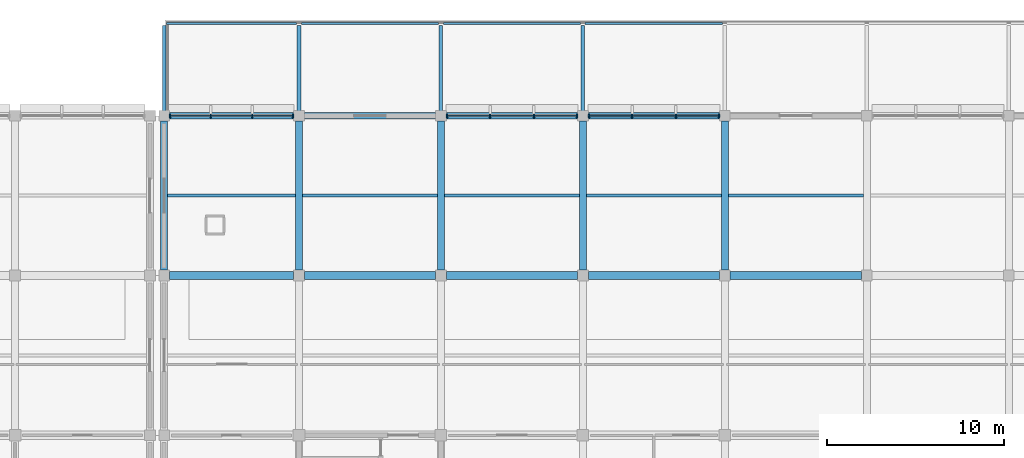
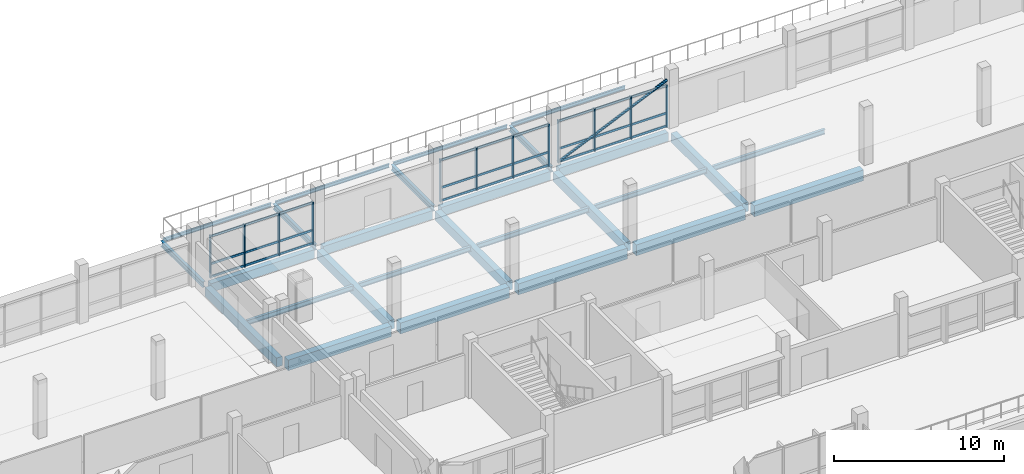
# One storey, part 28 of 70: 40 members, 27 beams, 3 elements without a shape of their own.
"""IFC4 building model written with IfcOpenShell, lengths in metres."""

from ifc_helpers import new_model, si_unit, direction, frame, origin, origin_2d, place, context, subcontext, project, spatial, rectangle, hollow_circle, i_section, extrude, material, material_profile, profile_set, type_object, element, aggregate, save


model = new_model("IFC4")

# Units and contexts
model_context = context("Model", 3, precision=1e-05, world=origin(), true_north=direction((0.0, 1.0)))
body_context = subcontext(model_context, "Body", "Model", "MODEL_VIEW")
ifc_project = project(units=[si_unit("LENGTHUNIT", "METRE"), si_unit("AREAUNIT", "SQUARE_METRE"), si_unit("VOLUMEUNIT", "CUBIC_METRE"), si_unit("PLANEANGLEUNIT", "RADIAN"), si_unit("MASSUNIT", "GRAM", prefix="KILO"), si_unit("THERMODYNAMICTEMPERATUREUNIT", "KELVIN"), si_unit("POWERUNIT", "WATT")], contexts=[model_context])

# Site, building, storey
site_placement = place(None, origin())
site = spatial("IfcSite", under=ifc_project, at=site_placement, CompositionType="ELEMENT")
building_placement = place(site_placement, origin())
building = spatial("IfcBuilding", under=site, at=building_placement, Name="Kronsvod Quay Wholesale Market", CompositionType="ELEMENT")
storey_placement = place(building_placement, frame((0.0, 0.0, 9.0)))
storey = spatial("IfcBuildingStorey", under=building, at=storey_placement, Name="L02", CompositionType="ELEMENT", Elevation=9.0)

# Beams
ifc_material_1 = material(Name="Precast concrete C40/50", Category="concrete")
ifc_material_profile_1 = material_profile(ifc_material_1, rectangle(XDim=0.39990234375, YDim=0.64990234375, at=origin_2d()), Name="PCB400x650")
ifc_profile_set_1 = profile_set([ifc_material_profile_1], Name="Precast concrete C40/50")
beam_type_1 = type_object("IfcBeamType", Name="Beam_PCB400x650", PredefinedType="BEAM", material=ifc_profile_set_1)
for number, where, z_axis, x_axis, name in (
    (1, (64.39990234375, 117.300048828125, -0.635009765625), (0.0, 1.0, 0.0), (-1.0, 0.0, 0.0), "BMY-L02-644-1170"),
    (2, (72.0, 117.300048828125, -0.635009765625), (0.0, 1.0, 0.0), (-1.0, 0.0, 0.0), "BMY-L02-720-1170"),
    (3, (80.0, 117.300048828125, -0.635009765625), (0.0, 1.0, 0.0), (-1.0, 0.0, 0.0), "BMY-L02-800-1170"),
    (4, (88.0, 117.300048828125, -0.635009765625), (0.0, 1.0, 0.0), (-1.0, 0.0, 0.0), "BMY-L02-880-1170"),
    (5, (96.0, 117.300048828125, -0.635009765625), (0.0, 1.0, 0.0), (-1.0, 0.0, 0.0), "BMY-L02-960-1170"),
):
    element("IfcBeam", number, at=place(storey_placement, frame(where, z_axis=z_axis, x_axis=x_axis)), inside=storey, type_object=beam_type_1, Name=name, PredefinedType="BEAM", context=body_context, shape_type="SweptSolid", body=[
        extrude(rectangle(XDim=0.39990234375, YDim=0.64990234375, at=origin_2d()), origin(), (0.0, 0.0, 1.0), 8.39990234375),
    ])
ifc_material_2 = material(Name="Precast concrete C40/50", Category="concrete")
ifc_material_profile_2 = material_profile(ifc_material_2, rectangle(XDim=0.449951171875, YDim=0.75, at=origin_2d()), Name="PCB450x750")
ifc_profile_set_2 = profile_set([ifc_material_profile_2], Name="Precast concrete C40/50")
beam_type_2 = type_object("IfcBeamType", Name="Beam_PCB450x750", PredefinedType="BEAM", material=ifc_profile_set_2)
beam_1_placement = place(storey_placement, frame((64.699951171875, 117.0, -0.68505859375), z_axis=(1.0, 0.0, 0.0), x_axis=(0.0, 1.0, 0.0)))
element("IfcBeam", 6, at=beam_1_placement, inside=storey, type_object=beam_type_2, Name="BMX-L02-644-1170", PredefinedType="BEAM", context=body_context, shape_type="SweptSolid", body=[
    extrude(rectangle(XDim=0.449951171875, YDim=0.75, at=origin_2d()), origin(), (0.0, 0.0, 1.0), 7.0),
])
ifc_material_3 = material(Name="Precast concrete C40/50", Category="concrete")
ifc_material_profile_3 = material_profile(ifc_material_3, rectangle(XDim=0.4599609375, YDim=0.780029296875, at=origin_2d()), Name="PB-03")
ifc_profile_set_3 = profile_set([ifc_material_profile_3], Name="Precast concrete C40/50")
beam_type_3 = type_object("IfcBeamType", Name="Beam_PCB460x780", PredefinedType="BEAM", material=ifc_profile_set_3)
for number, where, z_axis, x_axis, name in (
    (7, (72.300048828125, 117.0, -0.699951171875), (1.0, 0.0, 0.0), (0.0, 1.0, 0.0), "BMX-L02-720-1170"),
    (8, (80.300048828125, 117.0, -0.699951171875), (1.0, 0.0, 0.0), (0.0, 1.0, 0.0), "BMX-L02-800-1170"),
    (9, (88.300048828125, 117.0, -0.699951171875), (1.0, 0.0, 0.0), (0.0, 1.0, 0.0), "BMX-L02-880-1170"),
    (10, (96.300048828125, 117.0, -0.699951171875), (1.0, 0.0, 0.0), (0.0, 1.0, 0.0), "BMX-L02-960-1170"),
):
    element("IfcBeam", number, at=place(storey_placement, frame(where, z_axis=z_axis, x_axis=x_axis)), inside=storey, type_object=beam_type_3, Name=name, PredefinedType="BEAM", context=body_context, shape_type="SweptSolid", body=[
        extrude(rectangle(XDim=0.4599609375, YDim=0.780029296875, at=origin_2d()), origin(), (0.0, 0.0, 1.0), 7.39990234375),
    ])
ifc_material_4 = material(Name="Steel S355", Category="steel")
ifc_material_profile_4 = material_profile(ifc_material_4, i_section(OverallWidth=0.1240234375, OverallDepth=0.248046875, WebThickness=0.0048828125, FlangeThickness=0.008056640625, FilletRadius=0.011962890625, at=origin_2d()), Name="25B1")
ifc_profile_set_4 = profile_set([ifc_material_profile_4], Name="Steel S355")
beam_type_4 = type_object("IfcBeamType", Name="Beam_Steel25B1", PredefinedType="BEAM", material=ifc_profile_set_4)
beam_2_placement = place(storey_placement, frame((64.530029296875, 131.199951171875, -0.388916015625), z_axis=(1.0, 0.0, 0.0), x_axis=(0.0, 1.0, 0.0)))
element("IfcBeam", 11, at=beam_2_placement, inside=storey, type_object=beam_type_4, Name="BMBAL-X-L02-05", PredefinedType="BEAM", context=body_context, shape_type="SweptSolid", body=[
    extrude(i_section(OverallWidth=0.1240234375, OverallDepth=0.248046875, WebThickness=0.0048828125, FlangeThickness=0.008056640625, FilletRadius=0.011962890625, at=origin_2d()), origin(), (0.0, 0.0, 1.0), 7.340087890625),
])
for number, where, z_axis, x_axis, name in (
    (12, (72.1298828125, 131.199951171875, -0.388916015625), (1.0, 0.0, 0.0), (0.0, 1.0, 0.0), "BMBAL-X-L02-06"),
    (13, (80.1298828125, 131.199951171875, -0.388916015625), (1.0, 0.0, 0.0), (0.0, 1.0, 0.0), "BMBAL-X-L02-07"),
    (14, (88.1298828125, 131.199951171875, -0.388916015625), (1.0, 0.0, 0.0), (0.0, 1.0, 0.0), "BMBAL-X-L02-08"),
):
    element("IfcBeam", number, at=place(storey_placement, frame(where, z_axis=z_axis, x_axis=x_axis)), inside=storey, type_object=beam_type_4, Name=name, PredefinedType="BEAM", context=body_context, shape_type="SweptSolid", body=[
        extrude(i_section(OverallWidth=0.1240234375, OverallDepth=0.248046875, WebThickness=0.0048828125, FlangeThickness=0.008056640625, FilletRadius=0.011962890625, at=origin_2d()), origin(), (0.0, 0.0, 1.0), 7.740234375),
    ])
ifc_material_5 = material(Name="Steel S355", Category="steel")
ifc_material_profile_5 = material_profile(ifc_material_5, i_section(OverallWidth=0.198974609375, OverallDepth=0.39599609375, WebThickness=0.007080078125, FlangeThickness=0.010986328125, FilletRadius=0.01611328125, at=origin_2d()), Name="40B1")
ifc_profile_set_5 = profile_set([ifc_material_profile_5], Name="Steel S355")
beam_type_5 = type_object("IfcBeamType", Name="Beam_Steel40B1", PredefinedType="BEAM", material=ifc_profile_set_5)
for number, where, z_axis, x_axis, name in (
    (15, (64.39990234375, 126.159912109375, -0.462890625), (0.0, 1.0, 0.0), (-1.0, 0.0, 0.0), "BMBAL-Y-L02-06"),
    (16, (72.0, 126.159912109375, -0.462890625), (0.0, 1.0, 0.0), (-1.0, 0.0, 0.0), "BMBAL-Y-L02-07"),
    (17, (80.0, 126.159912109375, -0.462890625), (0.0, 1.0, 0.0), (-1.0, 0.0, 0.0), "BMBAL-Y-L02-08"),
    (18, (88.0, 126.159912109375, -0.462890625), (0.0, 1.0, 0.0), (-1.0, 0.0, 0.0), "BMBAL-Y-L02-09"),
):
    element("IfcBeam", number, at=place(storey_placement, frame(where, z_axis=z_axis, x_axis=x_axis)), inside=storey, type_object=beam_type_5, Name=name, PredefinedType="BEAM", context=body_context, shape_type="SweptSolid", body=[
        extrude(i_section(OverallWidth=0.198974609375, OverallDepth=0.39599609375, WebThickness=0.007080078125, FlangeThickness=0.010986328125, FilletRadius=0.01611328125, at=origin_2d()), origin(), (0.0, 0.0, 1.0), 4.920166015625),
    ])
ifc_material_6 = material(Name="Steel S355", Category="steel")
ifc_material_profile_6 = material_profile(ifc_material_6, i_section(OverallWidth=0.174072265625, OverallDepth=0.345947265625, WebThickness=0.006103515625, FlangeThickness=0.009033203125, FilletRadius=0.013916015625, at=origin_2d()), Name="35B1")
ifc_profile_set_6 = profile_set([ifc_material_profile_6], Name="Steel S355")
beam_type_6 = type_object("IfcBeamType", Name="Joist_Steel35B1", PredefinedType="JOIST", material=ifc_profile_set_6)
beam_3_placement = place(storey_placement, frame((64.594970703125, 121.5, -0.423095703125), z_axis=(1.0, 0.0, 0.0), x_axis=(0.0, 1.0, 0.0)))
element("IfcBeam", 19, at=beam_3_placement, inside=storey, type_object=beam_type_6, Name="JSTX-L02-644-1170", PredefinedType="JOIST", context=body_context, shape_type="SweptSolid", body=[
    extrude(i_section(OverallWidth=0.174072265625, OverallDepth=0.345947265625, WebThickness=0.006103515625, FlangeThickness=0.009033203125, FilletRadius=0.013916015625, at=origin_2d()), origin(), (0.0, 0.0, 1.0), 7.2099609375),
])
for number, where, z_axis, x_axis, name in (
    (20, (72.195068359375, 121.5, -0.423095703125), (1.0, 0.0, 0.0), (0.0, 1.0, 0.0), "JSTX-L02-720-1170"),
    (21, (80.195068359375, 121.5, -0.423095703125), (1.0, 0.0, 0.0), (0.0, 1.0, 0.0), "JSTX-L02-800-1170"),
    (22, (88.195068359375, 121.5, -0.423095703125), (1.0, 0.0, 0.0), (0.0, 1.0, 0.0), "JSTX-L02-880-1170"),
    (23, (96.195068359375, 121.5, -0.423095703125), (1.0, 0.0, 0.0), (0.0, 1.0, 0.0), "JSTX-L02-960-1170"),
):
    element("IfcBeam", number, at=place(storey_placement, frame(where, z_axis=z_axis, x_axis=x_axis)), inside=storey, type_object=beam_type_6, Name=name, PredefinedType="JOIST", context=body_context, shape_type="SweptSolid", body=[
        extrude(i_section(OverallWidth=0.174072265625, OverallDepth=0.345947265625, WebThickness=0.006103515625, FlangeThickness=0.009033203125, FilletRadius=0.013916015625, at=origin_2d()), origin(), (0.0, 0.0, 1.0), 7.60986328125),
    ])

# Member
ifc_material_7 = material(Name="Steel S355", Category="steel")
ifc_material_profile_7 = material_profile(ifc_material_7, hollow_circle(Radius=0.096923828125, WallThickness=0.008056640625, at=origin_2d()), Name="CHS194x8")
ifc_profile_set_7 = profile_set([ifc_material_profile_7], Name="Steel S355")
member_type_1 = type_object("IfcMemberType", Name="Member_Brace194x8", PredefinedType="BRACE", material=ifc_profile_set_7)
member_1_placement = place(storey_placement, frame((88.2900390625, 126.0, 0.050048828125), z_axis=(0.91370613877, 0.0, 0.406375555335), x_axis=(0.0, 1.0, 0.0)))
element("IfcMember", 24, at=member_1_placement, inside=storey, type_object=member_type_1, Name="BRCG-L02-880-1260-A", PredefinedType="BRACE", context=body_context, shape_type="SweptSolid", body=[
    extrude(hollow_circle(Radius=0.096923828125, WallThickness=0.008056640625, at=origin_2d()), origin(), (0.0, 0.0, 1.0), 8.12060546875),
])

# Curtain wall, members
ifc_material_8 = material(Name="Thermally broken aluminium and triple low-E glazing", Category="aluminium")
curtain_wall_type_1 = type_object("IfcCurtainWallType", Name="CW_Harbour76x33", PredefinedType="NOTDEFINED", material=ifc_material_8)
curtain_wall_1_placement = place(storey_placement, origin())
curtain_wall_1 = element("IfcCurtainWall", 25, at=curtain_wall_1_placement, inside=storey, type_object=curtain_wall_type_1, Name="CWGX-L02-644-1260", PredefinedType="NOTDEFINED")
ifc_material_9 = material(Name="Anodised aluminium", Category="aluminium")
ifc_material_profile_8 = material_profile(ifc_material_9, rectangle(XDim=0.074951171875, YDim=0.199951171875, at=origin_2d()), Name="ALUM75x200")
ifc_profile_set_8 = profile_set([ifc_material_profile_8], Name="Anodised aluminium")
member_type_2 = type_object("IfcMemberType", Name="Mullion_ALU75x200", PredefinedType="MULLION", material=ifc_profile_set_8)
member_2_placement = place(storey_placement, frame((71.66748046875, 126.0, 0.0), z_axis=(0.0, 0.0, 1.0), x_axis=(1.0, 0.0, 0.0)))
member_2 = element("IfcMember", 26, at=member_2_placement, type_object=member_type_2, Name="CWGX-L02-644-1260-M1", PredefinedType="MULLION", context=body_context, shape_type="SweptSolid", body=[
    extrude(rectangle(XDim=0.074951171875, YDim=0.199951171875, at=origin_2d()), origin(), (0.0, 0.0, 1.0), 3.050048828125),
])
member_3_placement = place(storey_placement, frame((69.368408203125, 126.0, 0.0), z_axis=(0.0, 0.0, 1.0), x_axis=(1.0, 0.0, 0.0)))
member_3 = element("IfcMember", 27, at=member_3_placement, type_object=member_type_2, Name="CWGX-L02-644-1260-M2", PredefinedType="MULLION", context=body_context, shape_type="SweptSolid", body=[
    extrude(rectangle(XDim=0.074951171875, YDim=0.199951171875, at=origin_2d()), origin(), (0.0, 0.0, 1.0), 3.050048828125),
])
member_4_placement = place(storey_placement, frame((67.03173828125, 126.0, 0.0), z_axis=(0.0, 0.0, 1.0), x_axis=(1.0, 0.0, 0.0)))
member_4 = element("IfcMember", 28, at=member_4_placement, type_object=member_type_2, Name="CWGX-L02-644-1260-M3", PredefinedType="MULLION", context=body_context, shape_type="SweptSolid", body=[
    extrude(rectangle(XDim=0.074951171875, YDim=0.199951171875, at=origin_2d()), origin(), (0.0, 0.0, 1.0), 3.050048828125),
])
member_5_placement = place(storey_placement, frame((64.732421875, 126.0, 0.0), z_axis=(0.0, 0.0, 1.0), x_axis=(1.0, 0.0, 0.0)))
member_5 = element("IfcMember", 29, at=member_5_placement, type_object=member_type_2, Name="CWGX-L02-644-1260-M4", PredefinedType="MULLION", context=body_context, shape_type="SweptSolid", body=[
    extrude(rectangle(XDim=0.074951171875, YDim=0.199951171875, at=origin_2d()), origin(), (0.0, 0.0, 1.0), 3.050048828125),
])

ifc_material_10 = material(Name="Thermally broken aluminium and triple low-E glazing", Category="aluminium")
curtain_wall_type_2 = type_object("IfcCurtainWallType", Name="CW_Harbour80x33", PredefinedType="NOTDEFINED", material=ifc_material_10)
curtain_wall_2_placement = place(storey_placement, origin())
curtain_wall_2 = element("IfcCurtainWall", 30, at=curtain_wall_2_placement, inside=storey, type_object=curtain_wall_type_2, Name="CWGX-L02-800-1260", PredefinedType="NOTDEFINED")
member_6_placement = place(storey_placement, frame((87.66748046875, 126.0, 0.0), z_axis=(0.0, 0.0, 1.0), x_axis=(1.0, 0.0, 0.0)))
member_6 = element("IfcMember", 31, at=member_6_placement, type_object=member_type_2, Name="CWGX-L02-800-1260-M1", PredefinedType="MULLION", context=body_context, shape_type="SweptSolid", body=[
    extrude(rectangle(XDim=0.074951171875, YDim=0.199951171875, at=origin_2d()), origin(), (0.0, 0.0, 1.0), 3.050048828125),
])
member_7_placement = place(storey_placement, frame((85.235107421875, 126.0, 0.0), z_axis=(0.0, 0.0, 1.0), x_axis=(1.0, 0.0, 0.0)))
member_7 = element("IfcMember", 32, at=member_7_placement, type_object=member_type_2, Name="CWGX-L02-800-1260-M2", PredefinedType="MULLION", context=body_context, shape_type="SweptSolid", body=[
    extrude(rectangle(XDim=0.074951171875, YDim=0.199951171875, at=origin_2d()), origin(), (0.0, 0.0, 1.0), 3.050048828125),
])
member_8_placement = place(storey_placement, frame((82.764892578125, 126.0, 0.0), z_axis=(0.0, 0.0, 1.0), x_axis=(1.0, 0.0, 0.0)))
member_8 = element("IfcMember", 33, at=member_8_placement, type_object=member_type_2, Name="CWGX-L02-800-1260-M3", PredefinedType="MULLION", context=body_context, shape_type="SweptSolid", body=[
    extrude(rectangle(XDim=0.074951171875, YDim=0.199951171875, at=origin_2d()), origin(), (0.0, 0.0, 1.0), 3.050048828125),
])
member_9_placement = place(storey_placement, frame((80.33251953125, 126.0, 0.0), z_axis=(0.0, 0.0, 1.0), x_axis=(1.0, 0.0, 0.0)))
member_9 = element("IfcMember", 34, at=member_9_placement, type_object=member_type_2, Name="CWGX-L02-800-1260-M4", PredefinedType="MULLION", context=body_context, shape_type="SweptSolid", body=[
    extrude(rectangle(XDim=0.074951171875, YDim=0.199951171875, at=origin_2d()), origin(), (0.0, 0.0, 1.0), 3.050048828125),
])

curtain_wall_3_placement = place(storey_placement, origin())
curtain_wall_3 = element("IfcCurtainWall", 35, at=curtain_wall_3_placement, inside=storey, type_object=curtain_wall_type_2, Name="CWGX-L02-880-1260", PredefinedType="NOTDEFINED")
member_10_placement = place(storey_placement, frame((95.66748046875, 126.0, 0.0), z_axis=(0.0, 0.0, 1.0), x_axis=(1.0, 0.0, 0.0)))
member_10 = element("IfcMember", 36, at=member_10_placement, type_object=member_type_2, Name="CWGX-L02-880-1260-M1", PredefinedType="MULLION", context=body_context, shape_type="SweptSolid", body=[
    extrude(rectangle(XDim=0.074951171875, YDim=0.199951171875, at=origin_2d()), origin(), (0.0, 0.0, 1.0), 3.050048828125),
])
member_11_placement = place(storey_placement, frame((93.235107421875, 126.0, 0.0), z_axis=(0.0, 0.0, 1.0), x_axis=(1.0, 0.0, 0.0)))
member_11 = element("IfcMember", 37, at=member_11_placement, type_object=member_type_2, Name="CWGX-L02-880-1260-M2", PredefinedType="MULLION", context=body_context, shape_type="SweptSolid", body=[
    extrude(rectangle(XDim=0.074951171875, YDim=0.199951171875, at=origin_2d()), origin(), (0.0, 0.0, 1.0), 3.050048828125),
])
member_12_placement = place(storey_placement, frame((90.764892578125, 126.0, 0.0), z_axis=(0.0, 0.0, 1.0), x_axis=(1.0, 0.0, 0.0)))
member_12 = element("IfcMember", 38, at=member_12_placement, type_object=member_type_2, Name="CWGX-L02-880-1260-M3", PredefinedType="MULLION", context=body_context, shape_type="SweptSolid", body=[
    extrude(rectangle(XDim=0.074951171875, YDim=0.199951171875, at=origin_2d()), origin(), (0.0, 0.0, 1.0), 3.050048828125),
])
member_13_placement = place(storey_placement, frame((88.33251953125, 126.0, 0.0), z_axis=(0.0, 0.0, 1.0), x_axis=(1.0, 0.0, 0.0)))
member_13 = element("IfcMember", 39, at=member_13_placement, type_object=member_type_2, Name="CWGX-L02-880-1260-M4", PredefinedType="MULLION", context=body_context, shape_type="SweptSolid", body=[
    extrude(rectangle(XDim=0.074951171875, YDim=0.199951171875, at=origin_2d()), origin(), (0.0, 0.0, 1.0), 3.050048828125),
])

# Beams
ifc_material_11 = material(Name="Precast concrete C40/50", Category="concrete")
ifc_material_profile_9 = material_profile(ifc_material_11, rectangle(XDim=0.360107421875, YDim=0.6201171875, at=origin_2d()), Name="SPB-02")
ifc_profile_set_9 = profile_set([ifc_material_profile_9], Name="Precast concrete C40/50")
beam_type_7 = type_object("IfcBeamType", Name="Spandrel_PCSP360x620", PredefinedType="SPANDREL", material=ifc_profile_set_9)
beam_4_placement = place(storey_placement, frame((64.699951171875, 126.0, -0.6201171875), z_axis=(1.0, 0.0, 0.0), x_axis=(0.0, 1.0, 0.0)))
element("IfcBeam", 40, at=beam_4_placement, inside=storey, type_object=beam_type_7, Name="BMX-L02-644-1260", PredefinedType="SPANDREL", context=body_context, shape_type="SweptSolid", body=[
    extrude(rectangle(XDim=0.360107421875, YDim=0.6201171875, at=origin_2d()), origin(), (0.0, 0.0, 1.0), 7.0),
])
for number, where, z_axis, x_axis, name in (
    (41, (72.300048828125, 126.0, -0.6201171875), (1.0, 0.0, 0.0), (0.0, 1.0, 0.0), "BMX-L02-720-1260"),
    (42, (80.300048828125, 126.0, -0.6201171875), (1.0, 0.0, 0.0), (0.0, 1.0, 0.0), "BMX-L02-800-1260"),
    (43, (88.300048828125, 126.0, -0.6201171875), (1.0, 0.0, 0.0), (0.0, 1.0, 0.0), "BMX-L02-880-1260"),
):
    element("IfcBeam", number, at=place(storey_placement, frame(where, z_axis=z_axis, x_axis=x_axis)), inside=storey, type_object=beam_type_7, Name=name, PredefinedType="SPANDREL", context=body_context, shape_type="SweptSolid", body=[
        extrude(rectangle(XDim=0.360107421875, YDim=0.6201171875, at=origin_2d()), origin(), (0.0, 0.0, 1.0), 7.39990234375),
    ])

# Member
ifc_material_12 = material(Name="Anodised aluminium", Category="aluminium")
ifc_material_profile_10 = material_profile(ifc_material_12, rectangle(XDim=0.074951171875, YDim=0.14990234375, at=origin_2d()), Name="ALUT75x150")
ifc_profile_set_10 = profile_set([ifc_material_profile_10], Name="Anodised aluminium")
member_type_3 = type_object("IfcMemberType", Name="Transom_ALU75x150", PredefinedType="USERDEFINED", material=ifc_profile_set_10)
member_14_placement = place(storey_placement, frame((71.6298828125, 126.0, 0.074951171875), z_axis=(-1.0, 0.0, 0.0), x_axis=(0.0, -1.0, 0.0)))
member_14 = element("IfcMember", 44, at=member_14_placement, type_object=member_type_3, Name="CWGX-L02-644-1260-T1B1", ObjectType="TRANSOM", PredefinedType="USERDEFINED", context=body_context, shape_type="SweptSolid", body=[
    extrude(rectangle(XDim=0.074951171875, YDim=0.14990234375, at=origin_2d()), origin(), (0.0, 0.0, 1.0), 2.22412109375),
])

member_15_placement = place(storey_placement, frame((69.330810546875, 126.0, 0.074951171875), z_axis=(-1.0, 0.0, 0.0), x_axis=(0.0, -1.0, 0.0)))
member_15 = element("IfcMember", 45, at=member_15_placement, type_object=member_type_3, Name="CWGX-L02-644-1260-T1B2", ObjectType="TRANSOM", PredefinedType="USERDEFINED", context=body_context, shape_type="SweptSolid", body=[
    extrude(rectangle(XDim=0.074951171875, YDim=0.14990234375, at=origin_2d()), origin(), (0.0, 0.0, 1.0), 2.26171875),
])

member_16_placement = place(storey_placement, frame((66.994140625, 126.0, 0.074951171875), z_axis=(-1.0, 0.0, 0.0), x_axis=(0.0, -1.0, 0.0)))
member_16 = element("IfcMember", 46, at=member_16_placement, type_object=member_type_3, Name="CWGX-L02-644-1260-T1B3", ObjectType="TRANSOM", PredefinedType="USERDEFINED", context=body_context, shape_type="SweptSolid", body=[
    extrude(rectangle(XDim=0.074951171875, YDim=0.14990234375, at=origin_2d()), origin(), (0.0, 0.0, 1.0), 2.22412109375),
])

member_17_placement = place(storey_placement, frame((71.6298828125, 126.0, 1.0), z_axis=(-1.0, 0.0, 0.0), x_axis=(0.0, -1.0, 0.0)))
member_17 = element("IfcMember", 47, at=member_17_placement, type_object=member_type_3, Name="CWGX-L02-644-1260-T2B1", ObjectType="TRANSOM", PredefinedType="USERDEFINED", context=body_context, shape_type="SweptSolid", body=[
    extrude(rectangle(XDim=0.074951171875, YDim=0.14990234375, at=origin_2d()), origin(), (0.0, 0.0, 1.0), 2.22412109375),
])

member_18_placement = place(storey_placement, frame((69.330810546875, 126.0, 1.0), z_axis=(-1.0, 0.0, 0.0), x_axis=(0.0, -1.0, 0.0)))
member_18 = element("IfcMember", 48, at=member_18_placement, type_object=member_type_3, Name="CWGX-L02-644-1260-T2B2", ObjectType="TRANSOM", PredefinedType="USERDEFINED", context=body_context, shape_type="SweptSolid", body=[
    extrude(rectangle(XDim=0.074951171875, YDim=0.14990234375, at=origin_2d()), origin(), (0.0, 0.0, 1.0), 2.26171875),
])

member_19_placement = place(storey_placement, frame((66.994140625, 126.0, 1.0), z_axis=(-1.0, 0.0, 0.0), x_axis=(0.0, -1.0, 0.0)))
member_19 = element("IfcMember", 49, at=member_19_placement, type_object=member_type_3, Name="CWGX-L02-644-1260-T2B3", ObjectType="TRANSOM", PredefinedType="USERDEFINED", context=body_context, shape_type="SweptSolid", body=[
    extrude(rectangle(XDim=0.074951171875, YDim=0.14990234375, at=origin_2d()), origin(), (0.0, 0.0, 1.0), 2.22412109375),
])

member_20_placement = place(storey_placement, frame((71.6298828125, 126.0, 2.97509765625), z_axis=(-1.0, 0.0, 0.0), x_axis=(0.0, -1.0, 0.0)))
member_20 = element("IfcMember", 50, at=member_20_placement, type_object=member_type_3, Name="CWGX-L02-644-1260-T3B1", ObjectType="TRANSOM", PredefinedType="USERDEFINED", context=body_context, shape_type="SweptSolid", body=[
    extrude(rectangle(XDim=0.074951171875, YDim=0.14990234375, at=origin_2d()), origin(), (0.0, 0.0, 1.0), 2.22412109375),
])

member_21_placement = place(storey_placement, frame((69.330810546875, 126.0, 2.97509765625), z_axis=(-1.0, 0.0, 0.0), x_axis=(0.0, -1.0, 0.0)))
member_21 = element("IfcMember", 51, at=member_21_placement, type_object=member_type_3, Name="CWGX-L02-644-1260-T3B2", ObjectType="TRANSOM", PredefinedType="USERDEFINED", context=body_context, shape_type="SweptSolid", body=[
    extrude(rectangle(XDim=0.074951171875, YDim=0.14990234375, at=origin_2d()), origin(), (0.0, 0.0, 1.0), 2.26171875),
])

member_22_placement = place(storey_placement, frame((66.994140625, 126.0, 2.97509765625), z_axis=(-1.0, 0.0, 0.0), x_axis=(0.0, -1.0, 0.0)))
member_22 = element("IfcMember", 52, at=member_22_placement, type_object=member_type_3, Name="CWGX-L02-644-1260-T3B3", ObjectType="TRANSOM", PredefinedType="USERDEFINED", context=body_context, shape_type="SweptSolid", body=[
    extrude(rectangle(XDim=0.074951171875, YDim=0.14990234375, at=origin_2d()), origin(), (0.0, 0.0, 1.0), 2.22412109375),
])

aggregate(curtain_wall_1, [member_2, member_3, member_4, member_5, member_14, member_15, member_16, member_17, member_18, member_19, member_20, member_21, member_22])

member_23_placement = place(storey_placement, frame((87.6298828125, 126.0, 0.074951171875), z_axis=(-1.0, 0.0, 0.0), x_axis=(0.0, -1.0, 0.0)))
member_23 = element("IfcMember", 53, at=member_23_placement, type_object=member_type_3, Name="CWGX-L02-800-1260-T1B1", ObjectType="TRANSOM", PredefinedType="USERDEFINED", context=body_context, shape_type="SweptSolid", body=[
    extrude(rectangle(XDim=0.074951171875, YDim=0.14990234375, at=origin_2d()), origin(), (0.0, 0.0, 1.0), 2.357421875),
])

member_24_placement = place(storey_placement, frame((85.197509765625, 126.0, 0.074951171875), z_axis=(-1.0, 0.0, 0.0), x_axis=(0.0, -1.0, 0.0)))
member_24 = element("IfcMember", 54, at=member_24_placement, type_object=member_type_3, Name="CWGX-L02-800-1260-T1B2", ObjectType="TRANSOM", PredefinedType="USERDEFINED", context=body_context, shape_type="SweptSolid", body=[
    extrude(rectangle(XDim=0.074951171875, YDim=0.14990234375, at=origin_2d()), origin(), (0.0, 0.0, 1.0), 2.39501953125),
])

member_25_placement = place(storey_placement, frame((82.7275390625, 126.0, 0.074951171875), z_axis=(-1.0, 0.0, 0.0), x_axis=(0.0, -1.0, 0.0)))
member_25 = element("IfcMember", 55, at=member_25_placement, type_object=member_type_3, Name="CWGX-L02-800-1260-T1B3", ObjectType="TRANSOM", PredefinedType="USERDEFINED", context=body_context, shape_type="SweptSolid", body=[
    extrude(rectangle(XDim=0.074951171875, YDim=0.14990234375, at=origin_2d()), origin(), (0.0, 0.0, 1.0), 2.357421875),
])

member_26_placement = place(storey_placement, frame((87.6298828125, 126.0, 1.0), z_axis=(-1.0, 0.0, 0.0), x_axis=(0.0, -1.0, 0.0)))
member_26 = element("IfcMember", 56, at=member_26_placement, type_object=member_type_3, Name="CWGX-L02-800-1260-T2B1", ObjectType="TRANSOM", PredefinedType="USERDEFINED", context=body_context, shape_type="SweptSolid", body=[
    extrude(rectangle(XDim=0.074951171875, YDim=0.14990234375, at=origin_2d()), origin(), (0.0, 0.0, 1.0), 2.357421875),
])

member_27_placement = place(storey_placement, frame((85.197509765625, 126.0, 1.0), z_axis=(-1.0, 0.0, 0.0), x_axis=(0.0, -1.0, 0.0)))
member_27 = element("IfcMember", 57, at=member_27_placement, type_object=member_type_3, Name="CWGX-L02-800-1260-T2B2", ObjectType="TRANSOM", PredefinedType="USERDEFINED", context=body_context, shape_type="SweptSolid", body=[
    extrude(rectangle(XDim=0.074951171875, YDim=0.14990234375, at=origin_2d()), origin(), (0.0, 0.0, 1.0), 2.39501953125),
])

member_28_placement = place(storey_placement, frame((82.7275390625, 126.0, 1.0), z_axis=(-1.0, 0.0, 0.0), x_axis=(0.0, -1.0, 0.0)))
member_28 = element("IfcMember", 58, at=member_28_placement, type_object=member_type_3, Name="CWGX-L02-800-1260-T2B3", ObjectType="TRANSOM", PredefinedType="USERDEFINED", context=body_context, shape_type="SweptSolid", body=[
    extrude(rectangle(XDim=0.074951171875, YDim=0.14990234375, at=origin_2d()), origin(), (0.0, 0.0, 1.0), 2.357421875),
])

member_29_placement = place(storey_placement, frame((87.6298828125, 126.0, 2.97509765625), z_axis=(-1.0, 0.0, 0.0), x_axis=(0.0, -1.0, 0.0)))
member_29 = element("IfcMember", 59, at=member_29_placement, type_object=member_type_3, Name="CWGX-L02-800-1260-T3B1", ObjectType="TRANSOM", PredefinedType="USERDEFINED", context=body_context, shape_type="SweptSolid", body=[
    extrude(rectangle(XDim=0.074951171875, YDim=0.14990234375, at=origin_2d()), origin(), (0.0, 0.0, 1.0), 2.357421875),
])

member_30_placement = place(storey_placement, frame((85.197509765625, 126.0, 2.97509765625), z_axis=(-1.0, 0.0, 0.0), x_axis=(0.0, -1.0, 0.0)))
member_30 = element("IfcMember", 60, at=member_30_placement, type_object=member_type_3, Name="CWGX-L02-800-1260-T3B2", ObjectType="TRANSOM", PredefinedType="USERDEFINED", context=body_context, shape_type="SweptSolid", body=[
    extrude(rectangle(XDim=0.074951171875, YDim=0.14990234375, at=origin_2d()), origin(), (0.0, 0.0, 1.0), 2.39501953125),
])

member_31_placement = place(storey_placement, frame((82.7275390625, 126.0, 2.97509765625), z_axis=(-1.0, 0.0, 0.0), x_axis=(0.0, -1.0, 0.0)))
member_31 = element("IfcMember", 61, at=member_31_placement, type_object=member_type_3, Name="CWGX-L02-800-1260-T3B3", ObjectType="TRANSOM", PredefinedType="USERDEFINED", context=body_context, shape_type="SweptSolid", body=[
    extrude(rectangle(XDim=0.074951171875, YDim=0.14990234375, at=origin_2d()), origin(), (0.0, 0.0, 1.0), 2.357421875),
])

aggregate(curtain_wall_2, [member_6, member_7, member_8, member_9, member_23, member_24, member_25, member_26, member_27, member_28, member_29, member_30, member_31])

member_32_placement = place(storey_placement, frame((95.6298828125, 126.0, 0.074951171875), z_axis=(-1.0, 0.0, 0.0), x_axis=(0.0, -1.0, 0.0)))
member_32 = element("IfcMember", 62, at=member_32_placement, type_object=member_type_3, Name="CWGX-L02-880-1260-T1B1", ObjectType="TRANSOM", PredefinedType="USERDEFINED", context=body_context, shape_type="SweptSolid", body=[
    extrude(rectangle(XDim=0.074951171875, YDim=0.14990234375, at=origin_2d()), origin(), (0.0, 0.0, 1.0), 2.357421875),
])

member_33_placement = place(storey_placement, frame((93.197509765625, 126.0, 0.074951171875), z_axis=(-1.0, 0.0, 0.0), x_axis=(0.0, -1.0, 0.0)))
member_33 = element("IfcMember", 63, at=member_33_placement, type_object=member_type_3, Name="CWGX-L02-880-1260-T1B2", ObjectType="TRANSOM", PredefinedType="USERDEFINED", context=body_context, shape_type="SweptSolid", body=[
    extrude(rectangle(XDim=0.074951171875, YDim=0.14990234375, at=origin_2d()), origin(), (0.0, 0.0, 1.0), 2.39501953125),
])

member_34_placement = place(storey_placement, frame((90.7275390625, 126.0, 0.074951171875), z_axis=(-1.0, 0.0, 0.0), x_axis=(0.0, -1.0, 0.0)))
member_34 = element("IfcMember", 64, at=member_34_placement, type_object=member_type_3, Name="CWGX-L02-880-1260-T1B3", ObjectType="TRANSOM", PredefinedType="USERDEFINED", context=body_context, shape_type="SweptSolid", body=[
    extrude(rectangle(XDim=0.074951171875, YDim=0.14990234375, at=origin_2d()), origin(), (0.0, 0.0, 1.0), 2.357421875),
])

member_35_placement = place(storey_placement, frame((95.6298828125, 126.0, 1.0), z_axis=(-1.0, 0.0, 0.0), x_axis=(0.0, -1.0, 0.0)))
member_35 = element("IfcMember", 65, at=member_35_placement, type_object=member_type_3, Name="CWGX-L02-880-1260-T2B1", ObjectType="TRANSOM", PredefinedType="USERDEFINED", context=body_context, shape_type="SweptSolid", body=[
    extrude(rectangle(XDim=0.074951171875, YDim=0.14990234375, at=origin_2d()), origin(), (0.0, 0.0, 1.0), 2.357421875),
])

member_36_placement = place(storey_placement, frame((93.197509765625, 126.0, 1.0), z_axis=(-1.0, 0.0, 0.0), x_axis=(0.0, -1.0, 0.0)))
member_36 = element("IfcMember", 66, at=member_36_placement, type_object=member_type_3, Name="CWGX-L02-880-1260-T2B2", ObjectType="TRANSOM", PredefinedType="USERDEFINED", context=body_context, shape_type="SweptSolid", body=[
    extrude(rectangle(XDim=0.074951171875, YDim=0.14990234375, at=origin_2d()), origin(), (0.0, 0.0, 1.0), 2.39501953125),
])

member_37_placement = place(storey_placement, frame((90.7275390625, 126.0, 1.0), z_axis=(-1.0, 0.0, 0.0), x_axis=(0.0, -1.0, 0.0)))
member_37 = element("IfcMember", 67, at=member_37_placement, type_object=member_type_3, Name="CWGX-L02-880-1260-T2B3", ObjectType="TRANSOM", PredefinedType="USERDEFINED", context=body_context, shape_type="SweptSolid", body=[
    extrude(rectangle(XDim=0.074951171875, YDim=0.14990234375, at=origin_2d()), origin(), (0.0, 0.0, 1.0), 2.357421875),
])

member_38_placement = place(storey_placement, frame((95.6298828125, 126.0, 2.97509765625), z_axis=(-1.0, 0.0, 0.0), x_axis=(0.0, -1.0, 0.0)))
member_38 = element("IfcMember", 68, at=member_38_placement, type_object=member_type_3, Name="CWGX-L02-880-1260-T3B1", ObjectType="TRANSOM", PredefinedType="USERDEFINED", context=body_context, shape_type="SweptSolid", body=[
    extrude(rectangle(XDim=0.074951171875, YDim=0.14990234375, at=origin_2d()), origin(), (0.0, 0.0, 1.0), 2.357421875),
])

member_39_placement = place(storey_placement, frame((93.197509765625, 126.0, 2.97509765625), z_axis=(-1.0, 0.0, 0.0), x_axis=(0.0, -1.0, 0.0)))
member_39 = element("IfcMember", 69, at=member_39_placement, type_object=member_type_3, Name="CWGX-L02-880-1260-T3B2", ObjectType="TRANSOM", PredefinedType="USERDEFINED", context=body_context, shape_type="SweptSolid", body=[
    extrude(rectangle(XDim=0.074951171875, YDim=0.14990234375, at=origin_2d()), origin(), (0.0, 0.0, 1.0), 2.39501953125),
])

member_40_placement = place(storey_placement, frame((90.7275390625, 126.0, 2.97509765625), z_axis=(-1.0, 0.0, 0.0), x_axis=(0.0, -1.0, 0.0)))
member_40 = element("IfcMember", 70, at=member_40_placement, type_object=member_type_3, Name="CWGX-L02-880-1260-T3B3", ObjectType="TRANSOM", PredefinedType="USERDEFINED", context=body_context, shape_type="SweptSolid", body=[
    extrude(rectangle(XDim=0.074951171875, YDim=0.14990234375, at=origin_2d()), origin(), (0.0, 0.0, 1.0), 2.357421875),
])

aggregate(curtain_wall_3, [member_10, member_11, member_12, member_13, member_32, member_33, member_34, member_35, member_36, member_37, member_38, member_39, member_40])

save(model, "model.ifc")
